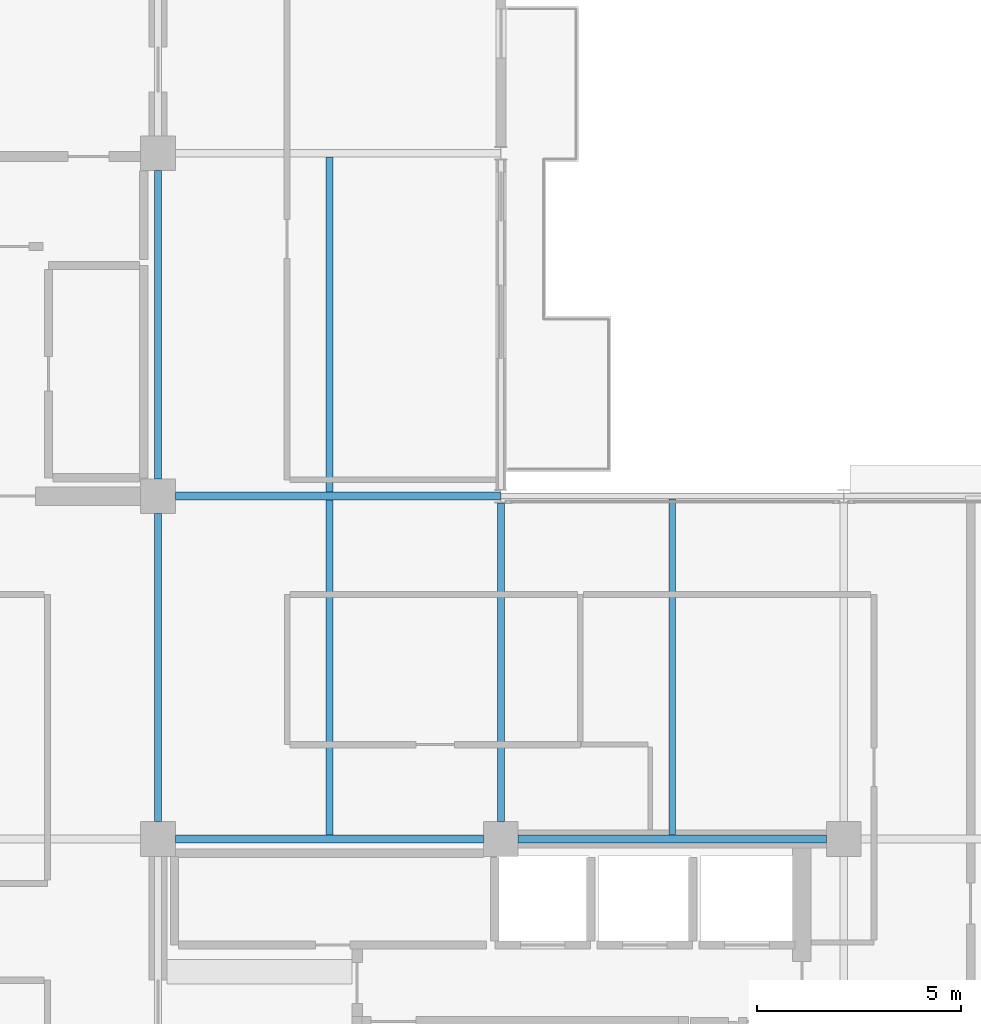
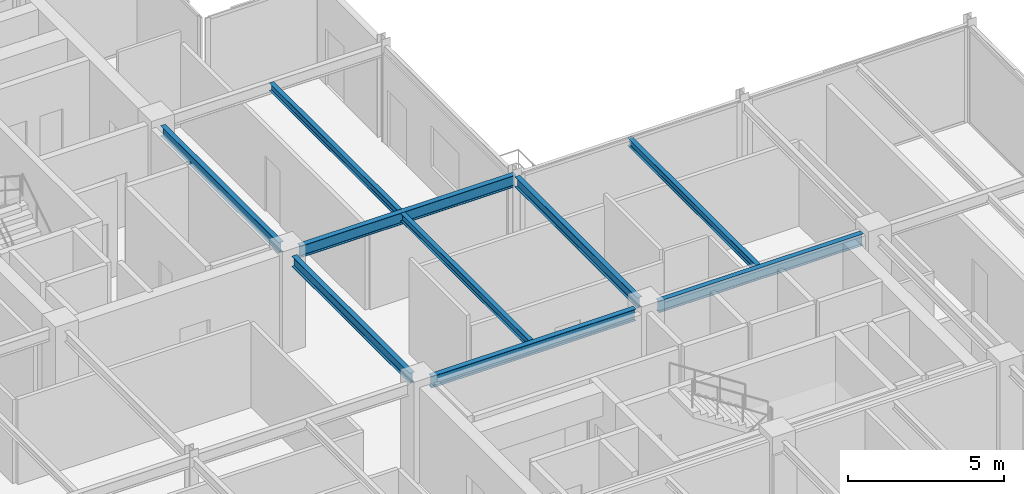
# One storey, part 12 of 27: 9 beams.
"""IFC4 building model written with IfcOpenShell, lengths in metres."""

from ifc_helpers import new_model, si_unit, direction, frame, origin, origin_2d, place, context, subcontext, project, spatial, i_section, extrude, material, material_profile, profile_set, type_object, element, save


model = new_model("IFC4")

# Units and contexts
model_context = context("Model", 3, precision=1e-05, world=origin(), true_north=direction((0.0, 1.0)))
body_context = subcontext(model_context, "Body", "Model", "MODEL_VIEW")
ifc_project = project(units=[si_unit("LENGTHUNIT", "METRE"), si_unit("AREAUNIT", "SQUARE_METRE"), si_unit("VOLUMEUNIT", "CUBIC_METRE"), si_unit("PLANEANGLEUNIT", "RADIAN"), si_unit("MASSUNIT", "GRAM", prefix="KILO")], contexts=[model_context])

# Site, building, storey
site_placement = place(None, origin())
site = spatial("IfcSite", under=ifc_project, at=site_placement, CompositionType="ELEMENT")
building_placement = place(site_placement, origin())
building = spatial("IfcBuilding", under=site, at=building_placement, Name="Nerrivon Quay Data Exchange", CompositionType="ELEMENT")
storey_placement = place(building_placement, frame((0.0, 0.0, 266.199951171875)))
storey = spatial("IfcBuildingStorey", under=building, at=storey_placement, Name="L63", CompositionType="ELEMENT", Elevation=266.199951171875)

# Beams
ifc_material = material(Name="Steel Grade 350", Category="steel")
ifc_material_profile_1 = material_profile(ifc_material, i_section(OverallWidth=0.18994140625, OverallDepth=0.4541015625, WebThickness=0.008544921875, FlangeThickness=0.0126953125, FilletRadius=0.011474609375, at=origin_2d()), Name="460UB67.1")
ifc_profile_set_1 = profile_set([ifc_material_profile_1], Name="Steel Grade 350")
beam_type_1 = type_object("IfcBeamType", Name="BM-G6-460UB67", PredefinedType="BEAM", material=ifc_profile_set_1)
beam_1_placement = place(storey_placement, frame((17.22509765625, 16.800048828125, 3.498046875), z_axis=(1.0, 0.0, 0.0), x_axis=(0.0, 1.0, 0.0)))
element("IfcBeam", 1, at=beam_1_placement, inside=storey, type_object=beam_type_1, Name="L63 EW Girder Y=16.8 (16.8..25.2)", PredefinedType="BEAM", context=body_context, shape_type="SweptSolid", body=[
    extrude(i_section(OverallWidth=0.18994140625, OverallDepth=0.4541015625, WebThickness=0.008544921875, FlangeThickness=0.0126953125, FilletRadius=0.011474609375, at=origin_2d()), origin(), (0.0, 0.0, 1.0), 7.5498046875),
])
beam_2_placement = place(storey_placement, frame((25.625, 16.800048828125, 3.498046875), z_axis=(1.0, 0.0, 0.0), x_axis=(0.0, 1.0, 0.0)))
element("IfcBeam", 2, at=beam_2_placement, inside=storey, type_object=beam_type_1, Name="L63 EW Girder Y=16.8 (25.2..33.6)", PredefinedType="BEAM", context=body_context, shape_type="SweptSolid", body=[
    extrude(i_section(OverallWidth=0.18994140625, OverallDepth=0.4541015625, WebThickness=0.008544921875, FlangeThickness=0.0126953125, FilletRadius=0.011474609375, at=origin_2d()), origin(), (0.0, 0.0, 1.0), 7.550048828125),
])
beam_3_placement = place(storey_placement, frame((17.22509765625, 25.199951171875, 3.498046875), z_axis=(1.0, 0.0, 0.0), x_axis=(0.0, 1.0, 0.0)))
element("IfcBeam", 3, at=beam_3_placement, inside=storey, type_object=beam_type_1, Name="L63 EW Girder Y=25.2 (16.8..25.2)", PredefinedType="BEAM", context=body_context, shape_type="SweptSolid", body=[
    extrude(i_section(OverallWidth=0.18994140625, OverallDepth=0.4541015625, WebThickness=0.008544921875, FlangeThickness=0.0126953125, FilletRadius=0.011474609375, at=origin_2d()), origin(), (0.0, 0.0, 1.0), 7.967041015625),
])
ifc_material_profile_2 = material_profile(ifc_material, i_section(OverallWidth=0.177978515625, OverallDepth=0.406005859375, WebThickness=0.0078125, FlangeThickness=0.0126953125, FilletRadius=0.011474609375, at=origin_2d()), Name="410UB59.7")
ifc_profile_set_2 = profile_set([ifc_material_profile_2], Name="Steel Grade 350")
beam_type_2 = type_object("IfcBeamType", Name="BM-J1-410UB60", PredefinedType="JOIST", material=ifc_profile_set_2)
beam_4_placement = place(storey_placement, frame((16.800048828125, 17.22509765625, 3.52197265625), z_axis=(0.0, 1.0, 0.0), x_axis=(-1.0, 0.0, 0.0)))
element("IfcBeam", 4, at=beam_4_placement, inside=storey, type_object=beam_type_2, Name="L63 NS Girder X=16.8 (16.8..25.2)", PredefinedType="JOIST", context=body_context, shape_type="SweptSolid", body=[
    extrude(i_section(OverallWidth=0.177978515625, OverallDepth=0.406005859375, WebThickness=0.0078125, FlangeThickness=0.0126953125, FilletRadius=0.011474609375, at=origin_2d()), origin(), (0.0, 0.0, 1.0), 7.5498046875),
])
beam_5_placement = place(storey_placement, frame((16.800048828125, 25.625, 3.52197265625), z_axis=(0.0, 1.0, 0.0), x_axis=(-1.0, 0.0, 0.0)))
element("IfcBeam", 5, at=beam_5_placement, inside=storey, type_object=beam_type_2, Name="L63 NS Girder X=16.8 (25.2..33.6)", PredefinedType="JOIST", context=body_context, shape_type="SweptSolid", body=[
    extrude(i_section(OverallWidth=0.177978515625, OverallDepth=0.406005859375, WebThickness=0.0078125, FlangeThickness=0.0126953125, FilletRadius=0.011474609375, at=origin_2d()), origin(), (0.0, 0.0, 1.0), 7.550048828125),
])
beam_6_placement = place(storey_placement, frame((25.199951171875, 17.22509765625, 3.52197265625), z_axis=(0.0, 1.0, 0.0), x_axis=(-1.0, 0.0, 0.0)))
element("IfcBeam", 6, at=beam_6_placement, inside=storey, type_object=beam_type_2, Name="L63 NS Girder X=25.2 (16.8..25.2)", PredefinedType="JOIST", context=body_context, shape_type="SweptSolid", body=[
    extrude(i_section(OverallWidth=0.177978515625, OverallDepth=0.406005859375, WebThickness=0.0078125, FlangeThickness=0.0126953125, FilletRadius=0.011474609375, at=origin_2d()), origin(), (0.0, 0.0, 1.0), 7.8115234375),
])
ifc_material_profile_3 = material_profile(ifc_material, i_section(OverallWidth=0.1650390625, OverallDepth=0.303955078125, WebThickness=0.006103515625, FlangeThickness=0.01025390625, FilletRadius=0.011474609375, at=origin_2d()), Name="310UB40.4")
ifc_profile_set_3 = profile_set([ifc_material_profile_3], Name="Steel Grade 350")
beam_type_3 = type_object("IfcBeamType", Name="BM-J6-310UB40", PredefinedType="JOIST", material=ifc_profile_set_3)
for number, where, z_axis, x_axis, name in (
    (7, (21.0, 16.89501953125, 3.572998046875), (0.0, 1.0, 0.0), (-1.0, 0.0, 0.0), "L63 Secondary Joist X=21.0 (16.8..25.2)"),
    (8, (21.0, 25.294921875, 3.572998046875), (0.0, 1.0, 0.0), (-1.0, 0.0, 0.0), "L63 Secondary Joist X=21.0 (25.2..33.6)"),
):
    element("IfcBeam", number, at=place(storey_placement, frame(where, z_axis=z_axis, x_axis=x_axis)), inside=storey, type_object=beam_type_3, Name=name, PredefinedType="JOIST", context=body_context, shape_type="SweptSolid", body=[
        extrude(i_section(OverallWidth=0.1650390625, OverallDepth=0.303955078125, WebThickness=0.006103515625, FlangeThickness=0.01025390625, FilletRadius=0.011474609375, at=origin_2d()), origin(), (0.0, 0.0, 1.0), 8.2099609375),
    ])
beam_7_placement = place(storey_placement, frame((29.39990234375, 16.89501953125, 3.572998046875), z_axis=(0.0, 1.0, 0.0), x_axis=(-1.0, 0.0, 0.0)))
element("IfcBeam", 9, at=beam_7_placement, inside=storey, type_object=beam_type_3, Name="L63 Secondary Joist X=29.4 (16.8..25.2)", PredefinedType="JOIST", context=body_context, shape_type="SweptSolid", body=[
    extrude(i_section(OverallWidth=0.1650390625, OverallDepth=0.303955078125, WebThickness=0.006103515625, FlangeThickness=0.01025390625, FilletRadius=0.011474609375, at=origin_2d()), origin(), (0.0, 0.0, 1.0), 8.22998046875),
])

save(model, "model.ifc")
